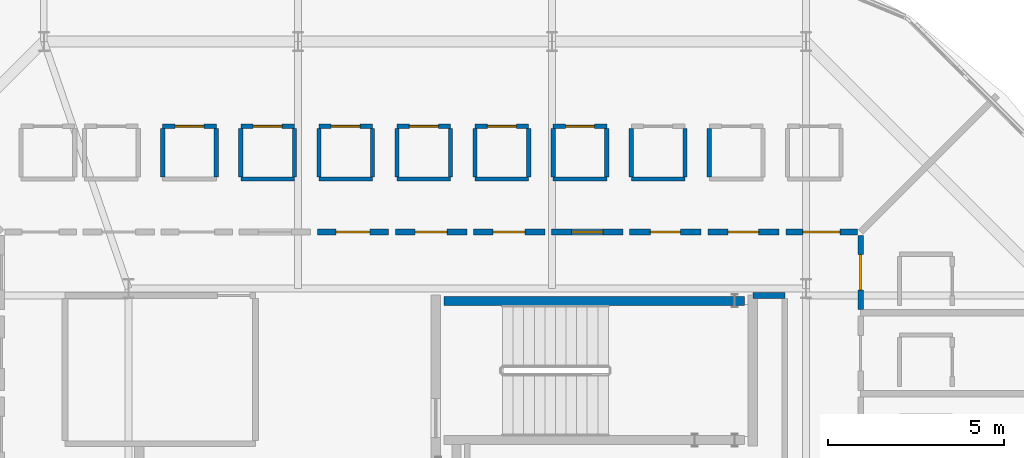
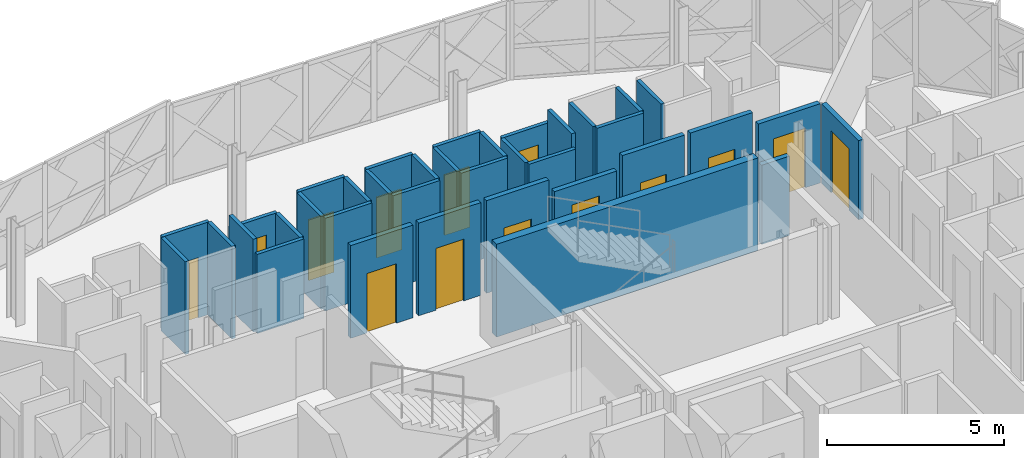
# One storey, part 44 of 50: 37 walls, 14 doors, 14 openings.
"""IFC4 building model written with IfcOpenShell, lengths in metres."""

import ifcopenshell
import ifcopenshell.guid

model = None  # the IFC model being written
_history = None  # IfcOwnerHistory: only IFC2X3 demands one
_inside = {}  # id of a spatial element -> (the spatial element, [elements in it])
_under = {}  # id of a project, library or spatial element -> (it, [spatial elements below it])
_declared = {}  # id of a project -> (the project, [libraries it declares])
_typed = {}  # id of a type object -> (the type object, [elements of that type])
_made_of = {}  # id of a material, layer set ... -> (it, [elements and type objects made of it])


def new_model(schema):
    """Start an empty IFC model of exactly this schema.

    Asked for "IFC4X3", IfcOpenShell would pick the latest addendum, in which some entities
    have other attributes; the version numbers below select the first issue.
    IFC2X3 requires an IfcOwnerHistory on every rooted entity: one is made here for all.
    """
    global model, _history
    if schema == "IFC4X3":
        model = ifcopenshell.file(schema_version=(4, 3, 0, 0))
    else:
        model = ifcopenshell.file(schema=schema)
    _inside.clear()
    _under.clear()
    _declared.clear()
    _typed.clear()
    _made_of.clear()
    _history = None
    if model.schema == "IFC2X3":
        org = make("IfcOrganization", Name="unknown")
        user = make(
            "IfcPersonAndOrganization",
            ThePerson=make("IfcPerson", FamilyName="unknown"),
            TheOrganization=org,
        )
        app = make(
            "IfcApplication",
            ApplicationDeveloper=org,
            Version="unknown",
            ApplicationFullName="unknown",
            ApplicationIdentifier="unknown",
        )
        _history = make(
            "IfcOwnerHistory",
            OwningUser=user,
            OwningApplication=app,
            ChangeAction="ADDED",
            CreationDate=0,
        )
    return model


def make(cls, **values):
    """One entity of the class cls with the attributes given. An attribute that is None is left unset."""
    return model.create_entity(
        cls, **{name: value for name, value in values.items() if value is not None}
    )


def rooted(cls, **values):
    """An entity with a GlobalId (a new one), such as an element, a storey or a relation."""
    return make(cls, GlobalId=ifcopenshell.guid.new(), OwnerHistory=_history, **values)


def si_unit(unit_type, name, prefix=None):
    """IfcSIUnit, for example si_unit("LENGTHUNIT", "METRE", prefix="MILLI")."""
    return make("IfcSIUnit", UnitType=unit_type, Prefix=prefix, Name=name)


def assignment(units):
    """IfcUnitAssignment: the units of a project."""
    return None if units is None else make("IfcUnitAssignment", Units=units)


def point(xyz):
    """IfcCartesianPoint."""
    return None if xyz is None else make("IfcCartesianPoint", Coordinates=xyz)


def direction(xyz):
    """IfcDirection."""
    return None if xyz is None else make("IfcDirection", DirectionRatios=xyz)


def frame(location, z_axis=None, x_axis=None):
    """IfcAxis2Placement3D, a coordinate frame: its origin and axes. An axis left out is left unset."""
    return make(
        "IfcAxis2Placement3D",
        Location=point(location),
        Axis=direction(z_axis),
        RefDirection=direction(x_axis),
    )


def frame_2d(location, x_axis=None):
    """IfcAxis2Placement2D, a coordinate frame in the plane: its origin and x axis."""
    return make(
        "IfcAxis2Placement2D", Location=point(location), RefDirection=direction(x_axis)
    )


def origin():
    """The frame at (0, 0, 0) with its axes left unset."""
    return frame((0.0, 0.0, 0.0))


def place(relative_to, where):
    """IfcLocalPlacement: puts the frame where relative to a parent placement (None: the world)."""
    return make(
        "IfcLocalPlacement", PlacementRelTo=relative_to, RelativePlacement=where
    )


def context(
    kind, dimensions, precision=None, world=None, true_north=None, identifier=None
):
    """IfcGeometricRepresentationContext, for example the 3D "Model" context."""
    return make(
        "IfcGeometricRepresentationContext",
        ContextIdentifier=identifier,
        ContextType=kind,
        CoordinateSpaceDimension=dimensions,
        Precision=precision,
        WorldCoordinateSystem=world,
        TrueNorth=true_north,
    )


def subcontext(parent, identifier, kind, view, scale=None):
    """IfcGeometricRepresentationSubContext, for example "Body" below "Model"."""
    return make(
        "IfcGeometricRepresentationSubContext",
        ContextIdentifier=identifier,
        ContextType=kind,
        ParentContext=parent,
        TargetScale=scale,
        TargetView=view,
    )


def project(units=None, contexts=None):
    """IfcProject with its units and contexts."""
    return rooted(
        "IfcProject",
        Name="project",
        RepresentationContexts=contexts,
        UnitsInContext=assignment(units),
    )


def spatial(cls, under=None, at=None, **own):
    """A site, building, storey or space (cls), placed at a placement, below another one or the project."""
    s = rooted(cls, ObjectPlacement=at, **own)
    if under is not None:
        _under.setdefault(under.id(), (under, []))[1].append(s)
    return s


def profile(cls, at=None, kind="AREA", **sizes):
    """A parametric profile (cls). Its sizes go by their IFC names, for example OverallWidth=200.0."""
    return make(cls, ProfileType=kind, Position=at, **sizes)


def rectangle(**sizes):
    """IfcRectangleProfileDef."""
    return profile("IfcRectangleProfileDef", **sizes)


def extrude(swept, where, along, depth):
    """IfcExtrudedAreaSolid: the profile swept, set in the frame where, extruded along a direction by depth."""
    return make(
        "IfcExtrudedAreaSolid",
        SweptArea=swept,
        Position=where,
        ExtrudedDirection=direction(along),
        Depth=depth,
    )


def shape(context_of_items, identifier, shape_type, items):
    """IfcShapeRepresentation: the items that make up one representation, for example the "Body"."""
    return make(
        "IfcShapeRepresentation",
        ContextOfItems=context_of_items,
        RepresentationIdentifier=identifier,
        RepresentationType=shape_type,
        Items=items,
    )


def material(Name=None, Category=None):
    """IfcMaterial."""
    return make("IfcMaterial", Name=Name, Category=Category)


def layer(
    of_material, thickness, ventilated=None, Name=None, Category=None, Priority=None
):
    """IfcMaterialLayer: one layer of a wall or slab, of a material (None: an air gap)."""
    return make(
        "IfcMaterialLayer",
        Material=of_material,
        LayerThickness=thickness,
        IsVentilated=ventilated,
        Name=Name,
        Category=Category,
        Priority=Priority,
    )


def layer_set(layers, Name=None):
    """IfcMaterialLayerSet."""
    return make("IfcMaterialLayerSet", MaterialLayers=layers, LayerSetName=Name)


def made_of(thing, what):
    """Note that an element or type object is made of a material, layer set ...; save() writes the relation."""
    if what is not None:
        _made_of.setdefault(what.id(), (what, []))[1].append(thing)
    return thing


def type_object(cls, material=None, **own):
    """A type object (cls), such as IfcWallType, which elements share."""
    return made_of(rooted(cls, **own), material)


def element(
    cls,
    number,
    at=None,
    inside=None,
    cuts=None,
    type_object=None,
    material=None,
    context=None,
    identifier="Body",
    shape_type=None,
    held_by="IfcProductDefinitionShape",
    body=None,
    shapes=None,
    **own,
):
    """One element of the class cls, such as IfcWall. Its Tag is "e" and its number.

    at: its placement. inside: the storey or other place that contains it. cuts: it is an
    opening in that element (IfcRelVoidsElement). A single representation is given by context,
    identifier, shape_type and body (its items); several are given by shapes. held_by: the class
    of the entity that holds the representations. save() writes the other relations.
    """
    e = rooted(cls, Tag="e%d" % number, ObjectPlacement=at, **own)
    if body is not None:
        shapes = [shape(context, identifier, shape_type, body)]
    if shapes is not None:
        e.Representation = make(held_by, Representations=shapes)
    if inside is not None:
        _inside.setdefault(inside.id(), (inside, []))[1].append(e)
    if cuts is not None:
        rooted(
            "IfcRelVoidsElement", RelatingBuildingElement=cuts, RelatedOpeningElement=e
        )
    if type_object is not None:
        _typed.setdefault(type_object.id(), (type_object, []))[1].append(e)
    return made_of(e, material)


def fill(opening, filler):
    """IfcRelFillsElement: the door or window that sits in an opening."""
    return rooted(
        "IfcRelFillsElement",
        RelatingOpeningElement=opening,
        RelatedBuildingElement=filler,
    )


def aggregate(whole, parts):
    """IfcRelAggregates: a whole, such as a stair, and the parts it consists of."""
    return rooted("IfcRelAggregates", RelatingObject=whole, RelatedObjects=parts)


def save(model, path):
    """Write the relations noted so far, then the file.

    IfcRelAggregates (storeys below a building ...), IfcRelContainedInSpatialStructure (elements
    in a storey), IfcRelDefinesByType, IfcRelAssociatesMaterial and IfcRelDeclares: one each for
    every whole, place, type object, material and project.
    """
    for whole, parts in _under.values():
        aggregate(whole, parts)
    for where, things in _inside.values():
        rooted(
            "IfcRelContainedInSpatialStructure",
            RelatedElements=things,
            RelatingStructure=where,
        )
    for kind, things in _typed.values():
        rooted("IfcRelDefinesByType", RelatedObjects=things, RelatingType=kind)
    for what, things in _made_of.values():
        rooted("IfcRelAssociatesMaterial", RelatedObjects=things, RelatingMaterial=what)
    for by, libraries in _declared.values():
        rooted("IfcRelDeclares", RelatingContext=by, RelatedDefinitions=libraries)
    model.write(path)


model = new_model("IFC4")

# Units and contexts
model_context = context("Model", 3, precision=1e-05, world=origin(), true_north=direction((0.0, 1.0)))
body_context = subcontext(model_context, "Body", "Model", "MODEL_VIEW")
ifc_project = project(units=[si_unit("LENGTHUNIT", "METRE"), si_unit("AREAUNIT", "SQUARE_METRE"), si_unit("VOLUMEUNIT", "CUBIC_METRE"), si_unit("PLANEANGLEUNIT", "RADIAN"), si_unit("MASSUNIT", "GRAM", prefix="KILO")], contexts=[model_context])

# Site, building, storey
site_placement = place(None, origin())
site = spatial("IfcSite", under=ifc_project, at=site_placement, CompositionType="ELEMENT")
building_placement = place(site_placement, origin())
building = spatial("IfcBuilding", under=site, at=building_placement, Name="Zevrakil Square Congress Hotel", CompositionType="ELEMENT")
storey_placement = place(building_placement, frame((0.0, 0.0, 21.5)))
storey = spatial("IfcBuildingStorey", under=building, at=storey_placement, Name="L06", CompositionType="ELEMENT", Elevation=21.5)

# Wall
ifc_material_1 = material(Name="Gypsum Acoustic Stud Partition")
ifc_layer_1 = layer(ifc_material_1, 0.159912109375)
ifc_layer_set_1 = layer_set([ifc_layer_1], Name="Gypsum Acoustic Stud Partition")
wall_type_1 = type_object("IfcWallType", Name="WAL-CORR-160", PredefinedType="PARTITIONING", material=ifc_layer_set_1)
wall_1_placement = place(storey_placement, frame((154.5, 38.39990234375, 0.0), z_axis=(0.0, 0.0, 1.0), x_axis=(1.0, 0.0, 0.0)))
element("IfcWall", 1, at=wall_1_placement, inside=storey, type_object=wall_type_1, Name="L06 interior partition PW-L06-0701", PredefinedType="PARTITIONING", context=body_context, shape_type="SweptSolid", body=[
    extrude(rectangle(XDim=0.89990234375, YDim=0.159912109375, at=frame_2d((0.449951171875, 0.0))), origin(), (0.0, 0.0, 1.0), 2.72998046875),
])

# Wall, opening, door
wall_2_placement = place(storey_placement, frame((157.550048828125, 38.004150390625, 0.0), z_axis=(0.0, 0.0, 1.0), x_axis=(0.0, 1.0, 0.0)))
wall_2 = element("IfcWall", 2, at=wall_2_placement, inside=storey, type_object=wall_type_1, Name="L06 interior partition PW-L06-0812", PredefinedType="PARTITIONING", context=body_context, shape_type="SweptSolid", body=[
    extrude(rectangle(XDim=2.100830078125, YDim=0.159912109375, at=frame_2d((1.05029296875, 0.0))), origin(), (0.0, 0.0, 1.0), 2.72998046875),
])
opening_1_placement = place(wall_2_placement, frame((0.54638671875, 0.0, 0.0)))
opening_1 = element("IfcOpeningElement", 3, at=opening_1_placement, cuts=wall_2, Name="Opening ID-H14", PredefinedType="OPENING", context=body_context, shape_type="SweptSolid", body=[
    extrude(rectangle(XDim=1.008056640625, YDim=2.1298828125, at=frame_2d((0.50390625, 1.06494140625))), frame((0.0, 0.08984375, 0.0), z_axis=(0.0, -1.0, 0.0), x_axis=(1.0, 0.0, 0.0)), (0.0, 0.0, 1.0), 0.179931640625),
])
ifc_material_2 = material(Name="Acoustic Timber Fire Door", Category="wood")
door_type_1 = type_object("IfcDoorType", Name="DOR-INT-H14", OperationType="NOTDEFINED", PredefinedType="DOOR", material=ifc_material_2)
door_1_placement = place(opening_1_placement, origin())
door_1 = element("IfcDoor", 4, at=door_1_placement, inside=storey, type_object=door_type_1, Name="L06 interior door 321", OperationType="SINGLE_SWING_LEFT", OverallHeight=2.1298828125, OverallWidth=1.008056640625, PredefinedType="DOOR", context=body_context, shape_type="SweptSolid", body=[
    extrude(rectangle(XDim=1.008056640625, YDim=2.1298828125, at=frame_2d((0.50390625, 1.06494140625))), frame((0.0, 0.02490234375, 0.0), z_axis=(0.0, -1.0, 0.0), x_axis=(1.0, 0.0, 0.0)), (0.0, 0.0, 1.0), 0.050048828125),
])
fill(opening_1, door_1)

wall_3_placement = place(storey_placement, frame((155.431396484375, 40.199951171875, 0.0), z_axis=(0.0, 0.0, 1.0), x_axis=(1.0, 0.0, 0.0)))
wall_3 = element("IfcWall", 5, at=wall_3_placement, inside=storey, type_object=wall_type_1, Name="L06 interior partition PW-L06-0817", PredefinedType="PARTITIONING", context=body_context, shape_type="SweptSolid", body=[
    extrude(rectangle(XDim=2.023681640625, YDim=0.159912109375, at=frame_2d((1.01171875, 0.0))), origin(), (0.0, 0.0, 1.0), 2.72998046875),
])
opening_2_placement = place(wall_3_placement, frame((0.484375, 0.0, 0.0)))
opening_2 = element("IfcOpeningElement", 6, at=opening_2_placement, cuts=wall_3, Name="Opening ID-G09", PredefinedType="OPENING", context=body_context, shape_type="SweptSolid", body=[
    extrude(rectangle(XDim=1.054931640625, YDim=2.050048828125, at=frame_2d((0.52734375, 1.02490234375))), frame((0.0, 0.08984375, 0.0), z_axis=(0.0, -1.0, 0.0), x_axis=(1.0, 0.0, 0.0)), (0.0, 0.0, 1.0), 0.179931640625),
])
ifc_material_3 = material(Name="Acoustic Timber Fire Door", Category="wood")
door_type_2 = type_object("IfcDoorType", Name="DOR-INT-G09", OperationType="NOTDEFINED", PredefinedType="DOOR", material=ifc_material_3)
door_2_placement = place(opening_2_placement, origin())
door_2 = element("IfcDoor", 7, at=door_2_placement, inside=storey, type_object=door_type_2, Name="L06 interior door 323", OperationType="SINGLE_SWING_LEFT", OverallHeight=2.050048828125, OverallWidth=1.054931640625, PredefinedType="DOOR", context=body_context, shape_type="SweptSolid", body=[
    extrude(rectangle(XDim=1.054931640625, YDim=2.050048828125, at=frame_2d((0.52734375, 1.02490234375))), frame((0.0, 0.02490234375, 0.0), z_axis=(0.0, -1.0, 0.0), x_axis=(1.0, 0.0, 0.0)), (0.0, 0.0, 1.0), 0.050048828125),
])
fill(opening_2, door_2)

wall_4_placement = place(storey_placement, frame((153.2177734375, 40.199951171875, 0.0), z_axis=(0.0, 0.0, 1.0), x_axis=(1.0, 0.0, 0.0)))
wall_4 = element("IfcWall", 8, at=wall_4_placement, inside=storey, type_object=wall_type_1, Name="L06 interior partition PW-L06-0822", PredefinedType="PARTITIONING", context=body_context, shape_type="SweptSolid", body=[
    extrude(rectangle(XDim=2.023681640625, YDim=0.159912109375, at=frame_2d((1.01171875, 0.0))), origin(), (0.0, 0.0, 1.0), 3.195068359375),
])
opening_3_placement = place(wall_4_placement, frame((0.579833984375, 0.0, 0.0)))
opening_3 = element("IfcOpeningElement", 9, at=opening_3_placement, cuts=wall_4, Name="Opening ID-H02", PredefinedType="OPENING", context=body_context, shape_type="SweptSolid", body=[
    extrude(rectangle(XDim=0.864013671875, YDim=2.1298828125, at=frame_2d((0.43212890625, 1.06494140625))), frame((0.0, 0.08984375, 0.0), z_axis=(0.0, -1.0, 0.0), x_axis=(1.0, 0.0, 0.0)), (0.0, 0.0, 1.0), 0.179931640625),
])
ifc_material_4 = material(Name="Acoustic Timber Fire Door", Category="wood")
door_type_3 = type_object("IfcDoorType", Name="DOR-INT-H02", OperationType="NOTDEFINED", PredefinedType="DOOR", material=ifc_material_4)
door_3_placement = place(opening_3_placement, origin())
door_3 = element("IfcDoor", 10, at=door_3_placement, inside=storey, type_object=door_type_3, Name="L06 interior door 325", OperationType="SINGLE_SWING_LEFT", OverallHeight=2.1298828125, OverallWidth=0.864013671875, PredefinedType="DOOR", context=body_context, shape_type="SweptSolid", body=[
    extrude(rectangle(XDim=0.864013671875, YDim=2.1298828125, at=frame_2d((0.43212890625, 1.06494140625))), frame((0.0, 0.02490234375, 0.0), z_axis=(0.0, -1.0, 0.0), x_axis=(1.0, 0.0, 0.0)), (0.0, 0.0, 1.0), 0.050048828125),
])
fill(opening_3, door_3)

wall_5_placement = place(storey_placement, frame((151.004150390625, 40.199951171875, 0.0), z_axis=(0.0, 0.0, 1.0), x_axis=(1.0, 0.0, 0.0)))
wall_5 = element("IfcWall", 11, at=wall_5_placement, inside=storey, type_object=wall_type_1, Name="L06 interior partition PW-L06-0827", PredefinedType="PARTITIONING", context=body_context, shape_type="SweptSolid", body=[
    extrude(rectangle(XDim=2.0234375, YDim=0.159912109375, at=frame_2d((1.01171875, 0.0))), origin(), (0.0, 0.0, 1.0), 3.195068359375),
])
opening_4_placement = place(wall_5_placement, frame((0.584228515625, 0.0, 0.0)))
opening_4 = element("IfcOpeningElement", 12, at=opening_4_placement, cuts=wall_5, Name="Opening ID-G01", PredefinedType="OPENING", context=body_context, shape_type="SweptSolid", body=[
    extrude(rectangle(XDim=0.85498046875, YDim=2.050048828125, at=frame_2d((0.427490234375, 1.02490234375))), frame((0.0, 0.08984375, 0.0), z_axis=(0.0, -1.0, 0.0), x_axis=(1.0, 0.0, 0.0)), (0.0, 0.0, 1.0), 0.179931640625),
])
ifc_material_5 = material(Name="Acoustic Timber Fire Door", Category="wood")
door_type_4 = type_object("IfcDoorType", Name="DOR-INT-G01", OperationType="NOTDEFINED", PredefinedType="DOOR", material=ifc_material_5)
door_4_placement = place(opening_4_placement, origin())
door_4 = element("IfcDoor", 13, at=door_4_placement, inside=storey, type_object=door_type_4, Name="L06 interior door 327", OperationType="SINGLE_SWING_LEFT", OverallHeight=2.050048828125, OverallWidth=0.85498046875, PredefinedType="DOOR", context=body_context, shape_type="SweptSolid", body=[
    extrude(rectangle(XDim=0.85498046875, YDim=2.050048828125, at=frame_2d((0.427490234375, 1.02490234375))), frame((0.0, 0.02490234375, 0.0), z_axis=(0.0, -1.0, 0.0), x_axis=(1.0, 0.0, 0.0)), (0.0, 0.0, 1.0), 0.050048828125),
])
fill(opening_4, door_4)

wall_6_placement = place(storey_placement, frame((148.79052734375, 40.199951171875, 0.0), z_axis=(0.0, 0.0, 1.0), x_axis=(1.0, 0.0, 0.0)))
wall_6 = element("IfcWall", 14, at=wall_6_placement, inside=storey, type_object=wall_type_1, Name="L06 interior partition PW-L06-0832", PredefinedType="PARTITIONING", context=body_context, shape_type="SweptSolid", body=[
    extrude(rectangle(XDim=2.023681640625, YDim=0.159912109375, at=frame_2d((1.01171875, 0.0))), origin(), (0.0, 0.0, 1.0), 2.72998046875),
])
opening_5_placement = place(wall_6_placement, frame((0.56787109375, 0.0, 0.0)))
opening_5 = element("IfcOpeningElement", 15, at=opening_5_placement, cuts=wall_6, Name="Opening ID-H04", PredefinedType="OPENING", context=body_context, shape_type="SweptSolid", body=[
    extrude(rectangle(XDim=0.887939453125, YDim=2.070068359375, at=frame_2d((0.44384765625, 1.03515625))), frame((0.0, 0.08984375, 0.0), z_axis=(0.0, -1.0, 0.0), x_axis=(1.0, 0.0, 0.0)), (0.0, 0.0, 1.0), 0.179931640625),
])
ifc_material_6 = material(Name="Acoustic Timber Fire Door", Category="wood")
door_type_5 = type_object("IfcDoorType", Name="DOR-INT-H04", OperationType="NOTDEFINED", PredefinedType="DOOR", material=ifc_material_6)
door_5_placement = place(opening_5_placement, origin())
door_5 = element("IfcDoor", 16, at=door_5_placement, inside=storey, type_object=door_type_5, Name="L06 interior door 329", OperationType="SINGLE_SWING_LEFT", OverallHeight=2.070068359375, OverallWidth=0.887939453125, PredefinedType="DOOR", context=body_context, shape_type="SweptSolid", body=[
    extrude(rectangle(XDim=0.887939453125, YDim=2.070068359375, at=frame_2d((0.44384765625, 1.03515625))), frame((0.0, 0.02490234375, 0.0), z_axis=(0.0, -1.0, 0.0), x_axis=(1.0, 0.0, 0.0)), (0.0, 0.0, 1.0), 0.050048828125),
])
fill(opening_5, door_5)

wall_7_placement = place(storey_placement, frame((146.576904296875, 40.199951171875, 0.0), z_axis=(0.0, 0.0, 1.0), x_axis=(1.0, 0.0, 0.0)))
wall_7 = element("IfcWall", 17, at=wall_7_placement, inside=storey, type_object=wall_type_1, Name="L06 interior partition PW-L06-0837", PredefinedType="PARTITIONING", context=body_context, shape_type="SweptSolid", body=[
    extrude(rectangle(XDim=2.023681640625, YDim=0.159912109375, at=frame_2d((1.01171875, 0.0))), origin(), (0.0, 0.0, 1.0), 3.195068359375),
])
opening_6_placement = place(wall_7_placement, frame((0.559326171875, 0.0, 0.0)))
opening_6 = element("IfcOpeningElement", 18, at=opening_6_placement, cuts=wall_7, Name="Opening ID-G03", PredefinedType="OPENING", context=body_context, shape_type="SweptSolid", body=[
    extrude(rectangle(XDim=0.905029296875, YDim=2.050048828125, at=frame_2d((0.45263671875, 1.02490234375))), frame((0.0, 0.08984375, 0.0), z_axis=(0.0, -1.0, 0.0), x_axis=(1.0, 0.0, 0.0)), (0.0, 0.0, 1.0), 0.179931640625),
])
ifc_material_7 = material(Name="Acoustic Timber Fire Door", Category="wood")
door_type_6 = type_object("IfcDoorType", Name="DOR-INT-G03", OperationType="NOTDEFINED", PredefinedType="DOOR", material=ifc_material_7)
door_6_placement = place(opening_6_placement, origin())
door_6 = element("IfcDoor", 19, at=door_6_placement, inside=storey, type_object=door_type_6, Name="L06 interior door 331", OperationType="SINGLE_SWING_LEFT", OverallHeight=2.050048828125, OverallWidth=0.905029296875, PredefinedType="DOOR", context=body_context, shape_type="SweptSolid", body=[
    extrude(rectangle(XDim=0.905029296875, YDim=2.050048828125, at=frame_2d((0.45263671875, 1.02490234375))), frame((0.0, 0.02490234375, 0.0), z_axis=(0.0, -1.0, 0.0), x_axis=(1.0, 0.0, 0.0)), (0.0, 0.0, 1.0), 0.050048828125),
])
fill(opening_6, door_6)

wall_8_placement = place(storey_placement, frame((144.36328125, 40.199951171875, 0.0), z_axis=(0.0, 0.0, 1.0), x_axis=(1.0, 0.0, 0.0)))
wall_8 = element("IfcWall", 20, at=wall_8_placement, inside=storey, type_object=wall_type_1, Name="L06 interior partition PW-L06-0842", PredefinedType="PARTITIONING", context=body_context, shape_type="SweptSolid", body=[
    extrude(rectangle(XDim=2.0234375, YDim=0.159912109375, at=frame_2d((1.01171875, 0.0))), origin(), (0.0, 0.0, 1.0), 3.195068359375),
])
opening_7_placement = place(wall_8_placement, frame((0.555908203125, 0.0, 0.0)))
opening_7 = element("IfcOpeningElement", 21, at=opening_7_placement, cuts=wall_8, Name="Opening ID-H06", PredefinedType="OPENING", context=body_context, shape_type="SweptSolid", body=[
    extrude(rectangle(XDim=0.912109375, YDim=2.1298828125, at=frame_2d((0.4560546875, 1.06494140625))), frame((0.0, 0.08984375, 0.0), z_axis=(0.0, -1.0, 0.0), x_axis=(1.0, 0.0, 0.0)), (0.0, 0.0, 1.0), 0.179931640625),
])
ifc_material_8 = material(Name="Acoustic Timber Fire Door", Category="wood")
door_type_7 = type_object("IfcDoorType", Name="DOR-INT-H06", OperationType="NOTDEFINED", PredefinedType="DOOR", material=ifc_material_8)
door_7_placement = place(opening_7_placement, origin())
door_7 = element("IfcDoor", 22, at=door_7_placement, inside=storey, type_object=door_type_7, Name="L06 interior door 333", OperationType="SINGLE_SWING_LEFT", OverallHeight=2.1298828125, OverallWidth=0.912109375, PredefinedType="DOOR", context=body_context, shape_type="SweptSolid", body=[
    extrude(rectangle(XDim=0.912109375, YDim=2.1298828125, at=frame_2d((0.4560546875, 1.06494140625))), frame((0.0, 0.02490234375, 0.0), z_axis=(0.0, -1.0, 0.0), x_axis=(1.0, 0.0, 0.0)), (0.0, 0.0, 1.0), 0.050048828125),
])
fill(opening_7, door_7)

wall_9_placement = place(storey_placement, frame((142.149658203125, 40.199951171875, 0.0), z_axis=(0.0, 0.0, 1.0), x_axis=(1.0, 0.0, 0.0)))
wall_9 = element("IfcWall", 23, at=wall_9_placement, inside=storey, type_object=wall_type_1, Name="L06 interior partition PW-L06-0847", PredefinedType="PARTITIONING", context=body_context, shape_type="SweptSolid", body=[
    extrude(rectangle(XDim=2.0234375, YDim=0.159912109375, at=frame_2d((1.01171875, 0.0))), origin(), (0.0, 0.0, 1.0), 3.195068359375),
])
opening_8_placement = place(wall_9_placement, frame((0.5341796875, 0.0, 0.0)))
opening_8 = element("IfcOpeningElement", 24, at=opening_8_placement, cuts=wall_9, Name="Opening ID-G05", PredefinedType="OPENING", context=body_context, shape_type="SweptSolid", body=[
    extrude(rectangle(XDim=0.955078125, YDim=2.050048828125, at=frame_2d((0.4775390625, 1.02490234375))), frame((0.0, 0.08984375, 0.0), z_axis=(0.0, -1.0, 0.0), x_axis=(1.0, 0.0, 0.0)), (0.0, 0.0, 1.0), 0.179931640625),
])
ifc_material_9 = material(Name="Acoustic Timber Fire Door", Category="wood")
door_type_8 = type_object("IfcDoorType", Name="DOR-INT-G05", OperationType="NOTDEFINED", PredefinedType="DOOR", material=ifc_material_9)
door_8_placement = place(opening_8_placement, origin())
door_8 = element("IfcDoor", 25, at=door_8_placement, inside=storey, type_object=door_type_8, Name="L06 interior door 335", OperationType="SINGLE_SWING_LEFT", OverallHeight=2.050048828125, OverallWidth=0.955078125, PredefinedType="DOOR", context=body_context, shape_type="SweptSolid", body=[
    extrude(rectangle(XDim=0.955078125, YDim=2.050048828125, at=frame_2d((0.4775390625, 1.02490234375))), frame((0.0, 0.02490234375, 0.0), z_axis=(0.0, -1.0, 0.0), x_axis=(1.0, 0.0, 0.0)), (0.0, 0.0, 1.0), 0.050048828125),
])
fill(opening_8, door_8)

# Walls
ifc_material_10 = material(Name="Moisture-Resistant Gypsum Partition")
ifc_layer_2 = layer(ifc_material_10, 0.1201171875)
ifc_layer_set_2 = layer_set([ifc_layer_2], Name="Moisture-Resistant Gypsum Partition")
wall_type_2 = type_object("IfcWallType", Name="WAL-ENS-120", PredefinedType="PARTITIONING", material=ifc_layer_set_2)
wall_10_placement = place(storey_placement, frame((153.2626953125, 41.764892578125, 0.0), z_axis=(0.0, 0.0, 1.0), x_axis=(0.0, 1.0, 0.0)))
element("IfcWall", 26, at=wall_10_placement, inside=storey, type_object=wall_type_2, Name="L06 interior partition PW-L06-0825", PredefinedType="PARTITIONING", context=body_context, shape_type="SweptSolid", body=[
    extrude(rectangle(XDim=1.3701171875, YDim=0.1201171875, at=frame_2d((0.68505859375, 0.0))), origin(), (0.0, 0.0, 1.0), 3.195068359375),
])
wall_11_placement = place(storey_placement, frame((151.049072265625, 41.699951171875, 0.0), z_axis=(0.0, 0.0, 1.0), x_axis=(1.0, 0.0, 0.0)))
element("IfcWall", 27, at=wall_11_placement, inside=storey, type_object=wall_type_2, Name="L06 interior partition PW-L06-0828", PredefinedType="PARTITIONING", context=body_context, shape_type="SweptSolid", body=[
    extrude(rectangle(XDim=1.52001953125, YDim=0.1201171875, at=frame_2d((0.760009765625, 0.0))), origin(), (0.0, 0.0, 1.0), 3.195068359375),
])
for number, where, z_axis, x_axis, name in (
    (28, (151.049072265625, 41.764892578125, 0.0), (0.0, 0.0, 1.0), (0.0, 1.0, 0.0), "L06 interior partition PW-L06-0830"),
    (29, (152.569091796875, 41.764892578125, 0.0), (0.0, 0.0, 1.0), (0.0, 1.0, 0.0), "L06 interior partition PW-L06-0831"),
):
    element("IfcWall", number, at=place(storey_placement, frame(where, z_axis=z_axis, x_axis=x_axis)), inside=storey, type_object=wall_type_2, Name=name, PredefinedType="PARTITIONING", context=body_context, shape_type="SweptSolid", body=[
        extrude(rectangle(XDim=1.3701171875, YDim=0.1201171875, at=frame_2d((0.68505859375, 0.0))), origin(), (0.0, 0.0, 1.0), 3.195068359375),
    ])
wall_12_placement = place(storey_placement, frame((148.83544921875, 41.699951171875, 0.0), z_axis=(0.0, 0.0, 1.0), x_axis=(1.0, 0.0, 0.0)))
element("IfcWall", 30, at=wall_12_placement, inside=storey, type_object=wall_type_2, Name="L06 interior partition PW-L06-0833", PredefinedType="PARTITIONING", context=body_context, shape_type="SweptSolid", body=[
    extrude(rectangle(XDim=1.52001953125, YDim=0.1201171875, at=frame_2d((0.760009765625, 0.0))), origin(), (0.0, 0.0, 1.0), 2.72998046875),
])

# Wall, opening, door
wall_13_placement = place(storey_placement, frame((148.83544921875, 43.199951171875, 0.0), z_axis=(0.0, 0.0, 1.0), x_axis=(1.0, 0.0, 0.0)))
wall_13 = element("IfcWall", 31, at=wall_13_placement, inside=storey, type_object=wall_type_2, Name="L06 interior partition PW-L06-0834", PredefinedType="PARTITIONING", context=body_context, shape_type="SweptSolid", body=[
    extrude(rectangle(XDim=1.52001953125, YDim=0.1201171875, at=frame_2d((0.760009765625, 0.0))), origin(), (0.0, 0.0, 1.0), 2.72998046875),
])
opening_9_placement = place(wall_13_placement, frame((0.35009765625, 0.0, 0.0)))
opening_9 = element("IfcOpeningElement", 32, at=opening_9_placement, cuts=wall_13, Name="Opening ID-11", PredefinedType="OPENING", context=body_context, shape_type="SweptSolid", body=[
    extrude(rectangle(XDim=0.820068359375, YDim=2.080078125, at=frame_2d((0.41015625, 1.0400390625))), frame((0.0, 0.070068359375, 0.0), z_axis=(0.0, -1.0, 0.0), x_axis=(1.0, 0.0, 0.0)), (0.0, 0.0, 1.0), 0.14013671875),
])
ifc_material_11 = material(Name="Acoustic Timber Door", Category="wood")
door_type_9 = type_object("IfcDoorType", Name="DOR-INT-V01", OperationType="NOTDEFINED", PredefinedType="DOOR", material=ifc_material_11)
door_9_placement = place(opening_9_placement, origin())
door_9 = element("IfcDoor", 33, at=door_9_placement, inside=storey, type_object=door_type_9, Name="L06 interior door 330", OperationType="SINGLE_SWING_RIGHT", OverallHeight=2.080078125, OverallWidth=0.820068359375, PredefinedType="DOOR", context=body_context, shape_type="SweptSolid", body=[
    extrude(rectangle(XDim=0.820068359375, YDim=2.080078125, at=frame_2d((0.41015625, 1.0400390625))), frame((0.0, 0.02490234375, 0.0), z_axis=(0.0, -1.0, 0.0), x_axis=(1.0, 0.0, 0.0)), (0.0, 0.0, 1.0), 0.050048828125),
])
fill(opening_9, door_9)

# Walls
wall_14_placement = place(storey_placement, frame((148.83544921875, 41.764892578125, 0.0), z_axis=(0.0, 0.0, 1.0), x_axis=(0.0, 1.0, 0.0)))
element("IfcWall", 34, at=wall_14_placement, inside=storey, type_object=wall_type_2, Name="L06 interior partition PW-L06-0835", PredefinedType="PARTITIONING", context=body_context, shape_type="SweptSolid", body=[
    extrude(rectangle(XDim=1.3701171875, YDim=0.1201171875, at=frame_2d((0.68505859375, 0.0))), origin(), (0.0, 0.0, 1.0), 2.72998046875),
])
wall_15_placement = place(storey_placement, frame((150.35546875, 41.764892578125, 0.0), z_axis=(0.0, 0.0, 1.0), x_axis=(0.0, 1.0, 0.0)))
element("IfcWall", 35, at=wall_15_placement, inside=storey, type_object=wall_type_2, Name="L06 interior partition PW-L06-0836", PredefinedType="PARTITIONING", context=body_context, shape_type="SweptSolid", body=[
    extrude(rectangle(XDim=1.3701171875, YDim=0.1201171875, at=frame_2d((0.68505859375, 0.0))), origin(), (0.0, 0.0, 1.0), 3.195068359375),
])
wall_16_placement = place(storey_placement, frame((146.621826171875, 41.699951171875, 0.0), z_axis=(0.0, 0.0, 1.0), x_axis=(1.0, 0.0, 0.0)))
element("IfcWall", 36, at=wall_16_placement, inside=storey, type_object=wall_type_2, Name="L06 interior partition PW-L06-0838", PredefinedType="PARTITIONING", context=body_context, shape_type="SweptSolid", body=[
    extrude(rectangle(XDim=1.52001953125, YDim=0.1201171875, at=frame_2d((0.760009765625, 0.0))), origin(), (0.0, 0.0, 1.0), 3.195068359375),
])

# Wall, opening, door
wall_17_placement = place(storey_placement, frame((146.621826171875, 43.199951171875, 0.0), z_axis=(0.0, 0.0, 1.0), x_axis=(1.0, 0.0, 0.0)))
wall_17 = element("IfcWall", 37, at=wall_17_placement, inside=storey, type_object=wall_type_2, Name="L06 interior partition PW-L06-0839", PredefinedType="PARTITIONING", context=body_context, shape_type="SweptSolid", body=[
    extrude(rectangle(XDim=1.52001953125, YDim=0.1201171875, at=frame_2d((0.760009765625, 0.0))), origin(), (0.0, 0.0, 1.0), 3.195068359375),
])
opening_10_placement = place(wall_17_placement, frame((0.35009765625, 0.0, 0.0)))
opening_10 = element("IfcOpeningElement", 38, at=opening_10_placement, cuts=wall_17, Name="Opening ID-11", PredefinedType="OPENING", context=body_context, shape_type="SweptSolid", body=[
    extrude(rectangle(XDim=0.820068359375, YDim=2.080078125, at=frame_2d((0.41015625, 1.0400390625))), frame((0.0, 0.070068359375, 0.0), z_axis=(0.0, -1.0, 0.0), x_axis=(1.0, 0.0, 0.0)), (0.0, 0.0, 1.0), 0.14013671875),
])
door_10_placement = place(opening_10_placement, origin())
door_10 = element("IfcDoor", 39, at=door_10_placement, inside=storey, type_object=door_type_9, Name="L06 interior door 332", OperationType="SINGLE_SWING_RIGHT", OverallHeight=2.080078125, OverallWidth=0.820068359375, PredefinedType="DOOR", context=body_context, shape_type="SweptSolid", body=[
    extrude(rectangle(XDim=0.820068359375, YDim=2.080078125, at=frame_2d((0.41015625, 1.0400390625))), frame((0.0, 0.02490234375, 0.0), z_axis=(0.0, -1.0, 0.0), x_axis=(1.0, 0.0, 0.0)), (0.0, 0.0, 1.0), 0.050048828125),
])
fill(opening_10, door_10)

# Walls
for number, where, z_axis, x_axis, name in (
    (40, (146.621826171875, 41.764892578125, 0.0), (0.0, 0.0, 1.0), (0.0, 1.0, 0.0), "L06 interior partition PW-L06-0840"),
    (41, (148.141845703125, 41.764892578125, 0.0), (0.0, 0.0, 1.0), (0.0, 1.0, 0.0), "L06 interior partition PW-L06-0841"),
):
    element("IfcWall", number, at=place(storey_placement, frame(where, z_axis=z_axis, x_axis=x_axis)), inside=storey, type_object=wall_type_2, Name=name, PredefinedType="PARTITIONING", context=body_context, shape_type="SweptSolid", body=[
        extrude(rectangle(XDim=1.3701171875, YDim=0.1201171875, at=frame_2d((0.68505859375, 0.0))), origin(), (0.0, 0.0, 1.0), 3.195068359375),
    ])
wall_18_placement = place(storey_placement, frame((144.408203125, 41.699951171875, 0.0), z_axis=(0.0, 0.0, 1.0), x_axis=(1.0, 0.0, 0.0)))
element("IfcWall", 42, at=wall_18_placement, inside=storey, type_object=wall_type_2, Name="L06 interior partition PW-L06-0843", PredefinedType="PARTITIONING", context=body_context, shape_type="SweptSolid", body=[
    extrude(rectangle(XDim=1.52001953125, YDim=0.1201171875, at=frame_2d((0.760009765625, 0.0))), origin(), (0.0, 0.0, 1.0), 3.195068359375),
])

# Wall, opening, door
wall_19_placement = place(storey_placement, frame((144.408203125, 43.199951171875, 0.0), z_axis=(0.0, 0.0, 1.0), x_axis=(1.0, 0.0, 0.0)))
wall_19 = element("IfcWall", 43, at=wall_19_placement, inside=storey, type_object=wall_type_2, Name="L06 interior partition PW-L06-0844", PredefinedType="PARTITIONING", context=body_context, shape_type="SweptSolid", body=[
    extrude(rectangle(XDim=1.52001953125, YDim=0.1201171875, at=frame_2d((0.760009765625, 0.0))), origin(), (0.0, 0.0, 1.0), 3.195068359375),
])
opening_11_placement = place(wall_19_placement, frame((0.35009765625, 0.0, 0.0)))
opening_11 = element("IfcOpeningElement", 44, at=opening_11_placement, cuts=wall_19, Name="Opening ID-11", PredefinedType="OPENING", context=body_context, shape_type="SweptSolid", body=[
    extrude(rectangle(XDim=0.820068359375, YDim=2.080078125, at=frame_2d((0.41015625, 1.0400390625))), frame((0.0, 0.070068359375, 0.0), z_axis=(0.0, -1.0, 0.0), x_axis=(1.0, 0.0, 0.0)), (0.0, 0.0, 1.0), 0.14013671875),
])
door_11_placement = place(opening_11_placement, origin())
door_11 = element("IfcDoor", 45, at=door_11_placement, inside=storey, type_object=door_type_9, Name="L06 interior door 334", OperationType="SINGLE_SWING_RIGHT", OverallHeight=2.080078125, OverallWidth=0.820068359375, PredefinedType="DOOR", context=body_context, shape_type="SweptSolid", body=[
    extrude(rectangle(XDim=0.820068359375, YDim=2.080078125, at=frame_2d((0.41015625, 1.0400390625))), frame((0.0, 0.02490234375, 0.0), z_axis=(0.0, -1.0, 0.0), x_axis=(1.0, 0.0, 0.0)), (0.0, 0.0, 1.0), 0.050048828125),
])
fill(opening_11, door_11)

# Walls
for number, where, z_axis, x_axis, name in (
    (46, (144.408203125, 41.764892578125, 0.0), (0.0, 0.0, 1.0), (0.0, 1.0, 0.0), "L06 interior partition PW-L06-0845"),
    (47, (145.92822265625, 41.764892578125, 0.0), (0.0, 0.0, 1.0), (0.0, 1.0, 0.0), "L06 interior partition PW-L06-0846"),
):
    element("IfcWall", number, at=place(storey_placement, frame(where, z_axis=z_axis, x_axis=x_axis)), inside=storey, type_object=wall_type_2, Name=name, PredefinedType="PARTITIONING", context=body_context, shape_type="SweptSolid", body=[
        extrude(rectangle(XDim=1.3701171875, YDim=0.1201171875, at=frame_2d((0.68505859375, 0.0))), origin(), (0.0, 0.0, 1.0), 3.195068359375),
    ])
wall_20_placement = place(storey_placement, frame((142.194580078125, 41.699951171875, 0.0), z_axis=(0.0, 0.0, 1.0), x_axis=(1.0, 0.0, 0.0)))
element("IfcWall", 48, at=wall_20_placement, inside=storey, type_object=wall_type_2, Name="L06 interior partition PW-L06-0848", PredefinedType="PARTITIONING", context=body_context, shape_type="SweptSolid", body=[
    extrude(rectangle(XDim=1.52001953125, YDim=0.1201171875, at=frame_2d((0.760009765625, 0.0))), origin(), (0.0, 0.0, 1.0), 3.195068359375),
])

# Wall, opening, door
wall_21_placement = place(storey_placement, frame((142.194580078125, 43.199951171875, 0.0), z_axis=(0.0, 0.0, 1.0), x_axis=(1.0, 0.0, 0.0)))
wall_21 = element("IfcWall", 49, at=wall_21_placement, inside=storey, type_object=wall_type_2, Name="L06 interior partition PW-L06-0849", PredefinedType="PARTITIONING", context=body_context, shape_type="SweptSolid", body=[
    extrude(rectangle(XDim=1.52001953125, YDim=0.1201171875, at=frame_2d((0.760009765625, 0.0))), origin(), (0.0, 0.0, 1.0), 3.195068359375),
])
opening_12_placement = place(wall_21_placement, frame((0.35009765625, 0.0, 0.0)))
opening_12 = element("IfcOpeningElement", 50, at=opening_12_placement, cuts=wall_21, Name="Opening ID-11", PredefinedType="OPENING", context=body_context, shape_type="SweptSolid", body=[
    extrude(rectangle(XDim=0.820068359375, YDim=2.080078125, at=frame_2d((0.41015625, 1.0400390625))), frame((0.0, 0.070068359375, 0.0), z_axis=(0.0, -1.0, 0.0), x_axis=(1.0, 0.0, 0.0)), (0.0, 0.0, 1.0), 0.14013671875),
])
door_12_placement = place(opening_12_placement, origin())
door_12 = element("IfcDoor", 51, at=door_12_placement, inside=storey, type_object=door_type_9, Name="L06 interior door 336", OperationType="SINGLE_SWING_RIGHT", OverallHeight=2.080078125, OverallWidth=0.820068359375, PredefinedType="DOOR", context=body_context, shape_type="SweptSolid", body=[
    extrude(rectangle(XDim=0.820068359375, YDim=2.080078125, at=frame_2d((0.41015625, 1.0400390625))), frame((0.0, 0.02490234375, 0.0), z_axis=(0.0, -1.0, 0.0), x_axis=(1.0, 0.0, 0.0)), (0.0, 0.0, 1.0), 0.050048828125),
])
fill(opening_12, door_12)

# Walls
for number, where, z_axis, x_axis, name in (
    (52, (142.194580078125, 41.764892578125, 0.0), (0.0, 0.0, 1.0), (0.0, 1.0, 0.0), "L06 interior partition PW-L06-0850"),
    (53, (143.714599609375, 41.764892578125, 0.0), (0.0, 0.0, 1.0), (0.0, 1.0, 0.0), "L06 interior partition PW-L06-0851"),
):
    element("IfcWall", number, at=place(storey_placement, frame(where, z_axis=z_axis, x_axis=x_axis)), inside=storey, type_object=wall_type_2, Name=name, PredefinedType="PARTITIONING", context=body_context, shape_type="SweptSolid", body=[
        extrude(rectangle(XDim=1.3701171875, YDim=0.1201171875, at=frame_2d((0.68505859375, 0.0))), origin(), (0.0, 0.0, 1.0), 3.195068359375),
    ])
wall_22_placement = place(storey_placement, frame((139.98095703125, 41.699951171875, 0.0), z_axis=(0.0, 0.0, 1.0), x_axis=(1.0, 0.0, 0.0)))
element("IfcWall", 54, at=wall_22_placement, inside=storey, type_object=wall_type_2, Name="L06 interior partition PW-L06-0853", PredefinedType="PARTITIONING", context=body_context, shape_type="SweptSolid", body=[
    extrude(rectangle(XDim=1.52001953125, YDim=0.1201171875, at=frame_2d((0.760009765625, 0.0))), origin(), (0.0, 0.0, 1.0), 2.72998046875),
])

# Wall, opening, door
wall_23_placement = place(storey_placement, frame((139.98095703125, 43.199951171875, 0.0), z_axis=(0.0, 0.0, 1.0), x_axis=(1.0, 0.0, 0.0)))
wall_23 = element("IfcWall", 55, at=wall_23_placement, inside=storey, type_object=wall_type_2, Name="L06 interior partition PW-L06-0854", PredefinedType="PARTITIONING", context=body_context, shape_type="SweptSolid", body=[
    extrude(rectangle(XDim=1.52001953125, YDim=0.1201171875, at=frame_2d((0.760009765625, 0.0))), origin(), (0.0, 0.0, 1.0), 2.72998046875),
])
opening_13_placement = place(wall_23_placement, frame((0.35009765625, 0.0, 0.0)))
opening_13 = element("IfcOpeningElement", 56, at=opening_13_placement, cuts=wall_23, Name="Opening ID-11", PredefinedType="OPENING", context=body_context, shape_type="SweptSolid", body=[
    extrude(rectangle(XDim=0.820068359375, YDim=2.080078125, at=frame_2d((0.41015625, 1.0400390625))), frame((0.0, 0.070068359375, 0.0), z_axis=(0.0, -1.0, 0.0), x_axis=(1.0, 0.0, 0.0)), (0.0, 0.0, 1.0), 0.14013671875),
])
door_13_placement = place(opening_13_placement, origin())
door_13 = element("IfcDoor", 57, at=door_13_placement, inside=storey, type_object=door_type_9, Name="L06 interior door 338", OperationType="SINGLE_SWING_RIGHT", OverallHeight=2.080078125, OverallWidth=0.820068359375, PredefinedType="DOOR", context=body_context, shape_type="SweptSolid", body=[
    extrude(rectangle(XDim=0.820068359375, YDim=2.080078125, at=frame_2d((0.41015625, 1.0400390625))), frame((0.0, 0.02490234375, 0.0), z_axis=(0.0, -1.0, 0.0), x_axis=(1.0, 0.0, 0.0)), (0.0, 0.0, 1.0), 0.050048828125),
])
fill(opening_13, door_13)

# Walls
wall_24_placement = place(storey_placement, frame((139.98095703125, 41.764892578125, 0.0), z_axis=(0.0, 0.0, 1.0), x_axis=(0.0, 1.0, 0.0)))
element("IfcWall", 58, at=wall_24_placement, inside=storey, type_object=wall_type_2, Name="L06 interior partition PW-L06-0855", PredefinedType="PARTITIONING", context=body_context, shape_type="SweptSolid", body=[
    extrude(rectangle(XDim=1.3701171875, YDim=0.1201171875, at=frame_2d((0.68505859375, 0.0))), origin(), (0.0, 0.0, 1.0), 3.195068359375),
])
wall_25_placement = place(storey_placement, frame((141.5009765625, 41.764892578125, 0.0), z_axis=(0.0, 0.0, 1.0), x_axis=(0.0, 1.0, 0.0)))
element("IfcWall", 59, at=wall_25_placement, inside=storey, type_object=wall_type_2, Name="L06 interior partition PW-L06-0856", PredefinedType="PARTITIONING", context=body_context, shape_type="SweptSolid", body=[
    extrude(rectangle(XDim=1.3701171875, YDim=0.1201171875, at=frame_2d((0.68505859375, 0.0))), origin(), (0.0, 0.0, 1.0), 2.72998046875),
])

# Wall, opening, door
wall_26_placement = place(storey_placement, frame((137.767333984375, 43.199951171875, 0.0), z_axis=(0.0, 0.0, 1.0), x_axis=(1.0, 0.0, 0.0)))
wall_26 = element("IfcWall", 60, at=wall_26_placement, inside=storey, type_object=wall_type_2, Name="L06 interior partition PW-L06-0859", PredefinedType="PARTITIONING", context=body_context, shape_type="SweptSolid", body=[
    extrude(rectangle(XDim=1.52001953125, YDim=0.1201171875, at=frame_2d((0.760009765625, 0.0))), origin(), (0.0, 0.0, 1.0), 3.195068359375),
])
opening_14_placement = place(wall_26_placement, frame((0.35009765625, 0.0, 0.0)))
opening_14 = element("IfcOpeningElement", 61, at=opening_14_placement, cuts=wall_26, Name="Opening ID-11", PredefinedType="OPENING", context=body_context, shape_type="SweptSolid", body=[
    extrude(rectangle(XDim=0.820068359375, YDim=2.080078125, at=frame_2d((0.41015625, 1.0400390625))), frame((0.0, 0.070068359375, 0.0), z_axis=(0.0, -1.0, 0.0), x_axis=(1.0, 0.0, 0.0)), (0.0, 0.0, 1.0), 0.14013671875),
])
door_14_placement = place(opening_14_placement, origin())
door_14 = element("IfcDoor", 62, at=door_14_placement, inside=storey, type_object=door_type_9, Name="L06 interior door 340", OperationType="SINGLE_SWING_RIGHT", OverallHeight=2.080078125, OverallWidth=0.820068359375, PredefinedType="DOOR", context=body_context, shape_type="SweptSolid", body=[
    extrude(rectangle(XDim=0.820068359375, YDim=2.080078125, at=frame_2d((0.41015625, 1.0400390625))), frame((0.0, 0.02490234375, 0.0), z_axis=(0.0, -1.0, 0.0), x_axis=(1.0, 0.0, 0.0)), (0.0, 0.0, 1.0), 0.050048828125),
])
fill(opening_14, door_14)

# Walls
for number, where, z_axis, x_axis, name in (
    (63, (137.767333984375, 41.764892578125, 0.0), (0.0, 0.0, 1.0), (0.0, 1.0, 0.0), "L06 interior partition PW-L06-0860"),
    (64, (139.287353515625, 41.764892578125, 0.0), (0.0, 0.0, 1.0), (0.0, 1.0, 0.0), "L06 interior partition PW-L06-0861"),
):
    element("IfcWall", number, at=place(storey_placement, frame(where, z_axis=z_axis, x_axis=x_axis)), inside=storey, type_object=wall_type_2, Name=name, PredefinedType="PARTITIONING", context=body_context, shape_type="SweptSolid", body=[
        extrude(rectangle(XDim=1.3701171875, YDim=0.1201171875, at=frame_2d((0.68505859375, 0.0))), origin(), (0.0, 0.0, 1.0), 3.195068359375),
    ])
ifc_material_12 = material(Name="Concrete C40/50", Category="concrete")
ifc_layer_3 = layer(ifc_material_12, 0.260009765625)
ifc_layer_set_3 = layer_set([ifc_layer_3], Name="Concrete C40/50")
wall_type_3 = type_object("IfcWallType", Name="WAL-SHAFT-260", PredefinedType="SHEAR", material=ifc_layer_set_3)
wall_27_placement = place(storey_placement, frame((145.739990234375, 38.2451171875, 0.0), z_axis=(0.0, 0.0, 1.0), x_axis=(1.0, 0.0, 0.0)))
element("IfcWall", 65, at=wall_27_placement, inside=storey, type_object=wall_type_3, Name="L06 ST03 stair shaft N wall", PredefinedType="SHEAR", context=body_context, shape_type="SweptSolid", body=[
    extrude(rectangle(XDim=8.52001953125, YDim=0.260009765625, at=frame_2d((4.260009765625, 0.0))), origin(), (0.0, 0.0, 1.0), 3.195068359375),
])

save(model, "model.ifc")
